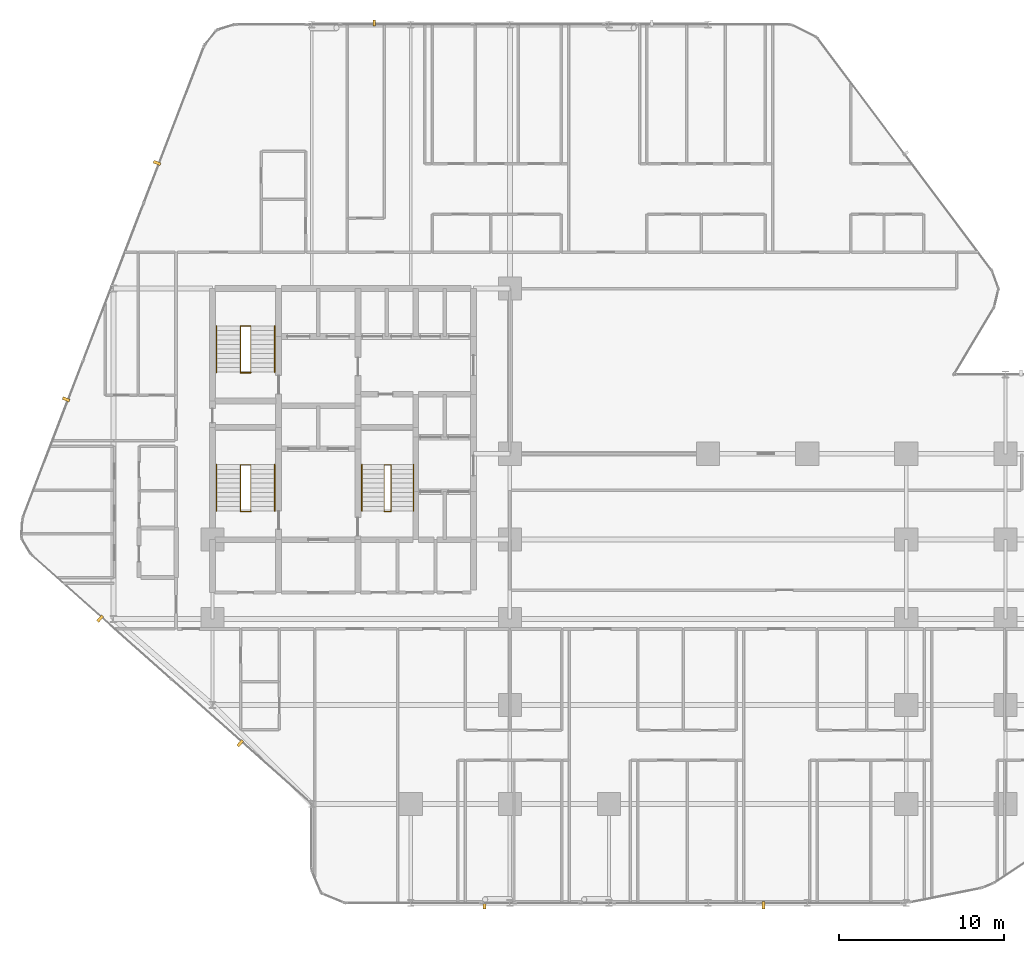
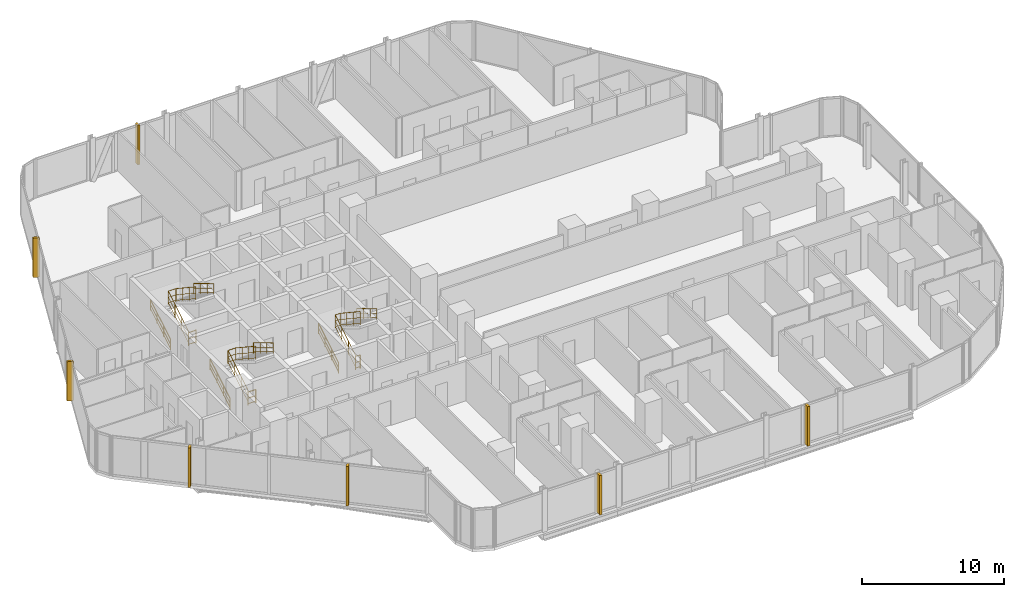
# One storey, part 33 of 34: 12 railings, 7 coverings.
"""IFC4 building model written with IfcOpenShell, lengths in metres."""

from ifc_helpers import new_model, si_unit, direction, frame, origin, origin_2d, place, context, subcontext, project, spatial, rectangle, circle, extrude, material, layer, layer_set, type_object, element, save


model = new_model("IFC4")

# Units and contexts
model_context = context("Model", 3, precision=1e-05, world=origin(), true_north=direction((0.0, 1.0)))
body_context = subcontext(model_context, "Body", "Model", "MODEL_VIEW")
ifc_project = project(units=[si_unit("LENGTHUNIT", "METRE"), si_unit("AREAUNIT", "SQUARE_METRE"), si_unit("VOLUMEUNIT", "CUBIC_METRE"), si_unit("PLANEANGLEUNIT", "RADIAN"), si_unit("MASSUNIT", "GRAM", prefix="KILO")], contexts=[model_context])

# Site, building, storey
site_placement = place(None, origin())
site = spatial("IfcSite", under=ifc_project, at=site_placement, CompositionType="ELEMENT")
building_placement = place(site_placement, origin())
building = spatial("IfcBuilding", under=site, at=building_placement, Name="Keshet Zoharim Tower", CompositionType="ELEMENT")
storey_placement = place(building_placement, frame((0.0, 0.0, 38.800048828125)))
storey = spatial("IfcBuildingStorey", under=building, at=storey_placement, Name="L08", CompositionType="ELEMENT", Elevation=38.800048828125)

# Coverings
ifc_material_1 = material(Name="Concrete C50/60 precast", Category="concrete")
covering_type_1 = type_object("IfcCoveringType", Name="FIN-SOL-360", PredefinedType="CLADDING", material=ifc_material_1)
covering_placement = place(storey_placement, frame((24.780029296875, 53.97998046875, 0.0), z_axis=(0.0, 0.0, 1.0), x_axis=(1.0, 0.0, 0.0)))
element("IfcCovering", 1, at=covering_placement, inside=storey, type_object=covering_type_1, Name="L08 Vertical Precast Solar Fin 05", PredefinedType="CLADDING", context=body_context, shape_type="SweptSolid", body=[
    extrude(rectangle(XDim=0.159912109375, YDim=0.360107421875, at=origin_2d()), origin(), (0.0, 0.0, 1.0), 3.385009765625),
])
covering_type_2 = type_object("IfcCoveringType", Name="FIN-SOL-450", PredefinedType="CLADDING", material=ifc_material_1)
for number, where, z_axis, x_axis, name in (
    (2, (16.676025390625, 10.376953125, 0.0), (0.0, 0.0, 1.0), (-0.747409318679, 0.664363838836, 0.0), "L08 Vertical Precast Solar Fin 01"),
    (3, (8.193115234375, 17.9169921875, 0.0), (0.0, 0.0, 1.0), (-0.747409318679, 0.664363838836, 0.0), "L08 Vertical Precast Solar Fin 02"),
    (4, (6.133056640625, 31.194091796875, 0.0), (0.0, 0.0, 1.0), (0.358990003907, 0.933341404361, 0.0), "L08 Vertical Precast Solar Fin 03"),
    (5, (11.637939453125, 45.507080078125, 0.0), (0.0, 0.0, 1.0), (0.358990003907, 0.933341404361, 0.0), "L08 Vertical Precast Solar Fin 04"),
    (6, (48.35205078125, 0.574951171875, 0.0), (0.0, 0.0, 1.0), (-1.0, 0.0, 0.0), "L08 Vertical Precast Solar Fin 10"),
    (7, (31.450927734375, 0.574951171875, 0.0), (0.0, 0.0, 1.0), (-1.0, 0.0, 0.0), "L08 Vertical Precast Solar Fin 11"),
):
    element("IfcCovering", number, at=place(storey_placement, frame(where, z_axis=z_axis, x_axis=x_axis)), inside=storey, type_object=covering_type_2, Name=name, PredefinedType="CLADDING", context=body_context, shape_type="SweptSolid", body=[
        extrude(rectangle(XDim=0.179931640625, YDim=0.449951171875, at=origin_2d()), origin(), (0.0, 0.0, 1.0), 3.385009765625),
    ])

# Railings
ifc_material_2 = material(Name="Steel S355", Category="steel")
ifc_layer_1 = layer(ifc_material_2, 0.050048828125)
ifc_layer_set_1 = layer_set([ifc_layer_1], Name="Steel S355")
railing_type_1 = type_object("IfcRailingType", Name="RL-HND-092", PredefinedType="HANDRAIL", material=ifc_layer_set_1)
railing_1_placement = place(storey_placement, frame((15.239990234375, 24.43994140625, 0.168212890625)))
element("IfcRailing", 8, at=railing_1_placement, inside=storey, type_object=railing_type_1, Name="L08 ST-01 Flight 1 Wall Handrail", PredefinedType="HANDRAIL", context=body_context, shape_type="SweptSolid", body=[
    extrude(circle(Radius=0.02392578125, at=origin_2d()), frame((0.0, 0.0, 0.89599609375), z_axis=(0.0, 0.857275202839, 0.514858452973), x_axis=(-1.0, 0.0, 0.0)), (0.0, 0.0, 1.0), 3.26611328125),
    extrude(circle(Radius=0.01611328125, at=origin_2d()), frame((0.0, 0.0, 0.478271484375), z_axis=(0.0, 0.857275202839, 0.514858452973), x_axis=(-1.0, 0.0, 0.0)), (0.0, 0.0, 1.0), 3.26611328125),
    extrude(circle(Radius=0.01611328125, at=origin_2d()), frame((0.0, 0.0, 0.1201171875), z_axis=(0.0, 0.857275202839, 0.514858452973), x_axis=(-1.0, 0.0, 0.0)), (0.0, 0.0, 1.0), 3.26611328125),
    extrude(circle(Radius=0.02099609375, at=origin_2d()), origin(), (0.0, 0.0, 1.0), 0.871826171875),
    extrude(circle(Radius=0.02099609375, at=origin_2d()), frame((0.0, 0.933349609375, 0.560546875)), (0.0, 0.0, 1.0), 0.871826171875),
    extrude(circle(Radius=0.02099609375, at=origin_2d()), frame((0.0, 1.86669921875, 1.12109375)), (0.0, 0.0, 1.0), 0.871826171875),
    extrude(circle(Radius=0.02099609375, at=origin_2d()), frame((0.0, 2.800048828125, 1.681640625)), (0.0, 0.0, 1.0), 0.871826171875),
])
railing_2_placement = place(storey_placement, frame((18.760009765625, 27.239990234375, 2.01806640625)))
element("IfcRailing", 9, at=railing_2_placement, inside=storey, type_object=railing_type_1, Name="L08 ST-01 Flight 2 Wall Handrail", PredefinedType="HANDRAIL", context=body_context, shape_type="SweptSolid", body=[
    extrude(circle(Radius=0.02392578125, at=origin_2d()), frame((0.0, 0.0, 0.89599609375), z_axis=(0.0, -0.857242210791, 0.514913383045), x_axis=(1.0, 0.0, 0.0)), (0.0, 0.0, 1.0), 3.266357421875),
    extrude(circle(Radius=0.01611328125, at=origin_2d()), frame((0.0, 0.0, 0.478271484375), z_axis=(0.0, -0.857242210791, 0.514913383045), x_axis=(1.0, 0.0, 0.0)), (0.0, 0.0, 1.0), 3.266357421875),
    extrude(circle(Radius=0.01611328125, at=origin_2d()), frame((0.0, 0.0, 0.1201171875), z_axis=(0.0, -0.857242210791, 0.514913383045), x_axis=(1.0, 0.0, 0.0)), (0.0, 0.0, 1.0), 3.266357421875),
    extrude(circle(Radius=0.02099609375, at=origin_2d()), origin(), (0.0, 0.0, 1.0), 0.871826171875),
    extrude(circle(Radius=0.02099609375, at=origin_2d()), frame((0.0, -0.933349609375, 0.560546875)), (0.0, 0.0, 1.0), 0.871826171875),
    extrude(circle(Radius=0.02099609375, at=origin_2d()), frame((0.0, -1.86669921875, 1.121337890625)), (0.0, 0.0, 1.0), 0.871826171875),
    extrude(circle(Radius=0.02099609375, at=origin_2d()), frame((0.0, -2.800048828125, 1.681884765625)), (0.0, 0.0, 1.0), 0.871826171875),
])
railing_3_placement = place(storey_placement, frame((15.239990234375, 32.840087890625, 0.168212890625)))
element("IfcRailing", 10, at=railing_3_placement, inside=storey, type_object=railing_type_1, Name="L08 ST-02 Flight 1 Wall Handrail", PredefinedType="HANDRAIL", context=body_context, shape_type="SweptSolid", body=[
    extrude(circle(Radius=0.02392578125, at=origin_2d()), frame((0.0, 0.0, 0.89599609375), z_axis=(0.0, 0.857255387014, 0.514891446264), x_axis=(-1.0, 0.0, 0.0)), (0.0, 0.0, 1.0), 3.26611328125),
    extrude(circle(Radius=0.01611328125, at=origin_2d()), frame((0.0, 0.0, 0.478271484375), z_axis=(0.0, 0.857255387014, 0.514891446264), x_axis=(-1.0, 0.0, 0.0)), (0.0, 0.0, 1.0), 3.26611328125),
    extrude(circle(Radius=0.01611328125, at=origin_2d()), frame((0.0, 0.0, 0.1201171875), z_axis=(0.0, 0.857255387014, 0.514891446264), x_axis=(-1.0, 0.0, 0.0)), (0.0, 0.0, 1.0), 3.26611328125),
    extrude(circle(Radius=0.02099609375, at=origin_2d()), origin(), (0.0, 0.0, 1.0), 0.871826171875),
    extrude(circle(Radius=0.02099609375, at=origin_2d()), frame((0.0, 0.933349609375, 0.560546875)), (0.0, 0.0, 1.0), 0.871826171875),
    extrude(circle(Radius=0.02099609375, at=origin_2d()), frame((0.0, 1.866455078125, 1.12109375)), (0.0, 0.0, 1.0), 0.871826171875),
    extrude(circle(Radius=0.02099609375, at=origin_2d()), frame((0.0, 2.7998046875, 1.681640625)), (0.0, 0.0, 1.0), 0.871826171875),
])
railing_4_placement = place(storey_placement, frame((18.760009765625, 35.639892578125, 2.01806640625)))
element("IfcRailing", 11, at=railing_4_placement, inside=storey, type_object=railing_type_1, Name="L08 ST-02 Flight 2 Wall Handrail", PredefinedType="HANDRAIL", context=body_context, shape_type="SweptSolid", body=[
    extrude(circle(Radius=0.02392578125, at=origin_2d()), frame((0.0, 0.0, 0.89599609375), z_axis=(0.0, -0.857222391501, 0.514946377315), x_axis=(1.0, 0.0, 0.0)), (0.0, 0.0, 1.0), 3.26611328125),
    extrude(circle(Radius=0.01611328125, at=origin_2d()), frame((0.0, 0.0, 0.478271484375), z_axis=(0.0, -0.857222391501, 0.514946377315), x_axis=(1.0, 0.0, 0.0)), (0.0, 0.0, 1.0), 3.26611328125),
    extrude(circle(Radius=0.01611328125, at=origin_2d()), frame((0.0, 0.0, 0.1201171875), z_axis=(0.0, -0.857222391501, 0.514946377315), x_axis=(1.0, 0.0, 0.0)), (0.0, 0.0, 1.0), 3.26611328125),
    extrude(circle(Radius=0.02099609375, at=origin_2d()), origin(), (0.0, 0.0, 1.0), 0.871826171875),
    extrude(circle(Radius=0.02099609375, at=origin_2d()), frame((0.0, -0.933349609375, 0.560546875)), (0.0, 0.0, 1.0), 0.871826171875),
    extrude(circle(Radius=0.02099609375, at=origin_2d()), frame((0.0, -1.866455078125, 1.121337890625)), (0.0, 0.0, 1.0), 0.871826171875),
    extrude(circle(Radius=0.02099609375, at=origin_2d()), frame((0.0, -2.7998046875, 1.681884765625)), (0.0, 0.0, 1.0), 0.871826171875),
])
railing_5_placement = place(storey_placement, frame((24.0400390625, 24.43994140625, 0.168212890625)))
element("IfcRailing", 12, at=railing_5_placement, inside=storey, type_object=railing_type_1, Name="L08 ST-03 Flight 1 Wall Handrail", PredefinedType="HANDRAIL", context=body_context, shape_type="SweptSolid", body=[
    extrude(circle(Radius=0.02392578125, at=origin_2d()), frame((0.0, 0.0, 0.89599609375), z_axis=(0.0, 0.857275202839, 0.514858452973), x_axis=(-1.0, 0.0, 0.0)), (0.0, 0.0, 1.0), 3.26611328125),
    extrude(circle(Radius=0.01611328125, at=origin_2d()), frame((0.0, 0.0, 0.478271484375), z_axis=(0.0, 0.857275202839, 0.514858452973), x_axis=(-1.0, 0.0, 0.0)), (0.0, 0.0, 1.0), 3.26611328125),
    extrude(circle(Radius=0.01611328125, at=origin_2d()), frame((0.0, 0.0, 0.1201171875), z_axis=(0.0, 0.857275202839, 0.514858452973), x_axis=(-1.0, 0.0, 0.0)), (0.0, 0.0, 1.0), 3.26611328125),
    extrude(circle(Radius=0.02099609375, at=origin_2d()), origin(), (0.0, 0.0, 1.0), 0.871826171875),
    extrude(circle(Radius=0.02099609375, at=origin_2d()), frame((0.0, 0.933349609375, 0.560546875)), (0.0, 0.0, 1.0), 0.871826171875),
    extrude(circle(Radius=0.02099609375, at=origin_2d()), frame((0.0, 1.86669921875, 1.12109375)), (0.0, 0.0, 1.0), 0.871826171875),
    extrude(circle(Radius=0.02099609375, at=origin_2d()), frame((0.0, 2.800048828125, 1.681640625)), (0.0, 0.0, 1.0), 0.871826171875),
])
railing_6_placement = place(storey_placement, frame((27.159912109375, 27.239990234375, 2.01806640625)))
element("IfcRailing", 13, at=railing_6_placement, inside=storey, type_object=railing_type_1, Name="L08 ST-03 Flight 2 Wall Handrail", PredefinedType="HANDRAIL", context=body_context, shape_type="SweptSolid", body=[
    extrude(circle(Radius=0.02392578125, at=origin_2d()), frame((0.0, 0.0, 0.89599609375), z_axis=(0.0, -0.857242210791, 0.514913383045), x_axis=(1.0, 0.0, 0.0)), (0.0, 0.0, 1.0), 3.266357421875),
    extrude(circle(Radius=0.01611328125, at=origin_2d()), frame((0.0, 0.0, 0.478271484375), z_axis=(0.0, -0.857242210791, 0.514913383045), x_axis=(1.0, 0.0, 0.0)), (0.0, 0.0, 1.0), 3.266357421875),
    extrude(circle(Radius=0.01611328125, at=origin_2d()), frame((0.0, 0.0, 0.1201171875), z_axis=(0.0, -0.857242210791, 0.514913383045), x_axis=(1.0, 0.0, 0.0)), (0.0, 0.0, 1.0), 3.266357421875),
    extrude(circle(Radius=0.02099609375, at=origin_2d()), origin(), (0.0, 0.0, 1.0), 0.871826171875),
    extrude(circle(Radius=0.02099609375, at=origin_2d()), frame((0.0, -0.933349609375, 0.560546875)), (0.0, 0.0, 1.0), 0.871826171875),
    extrude(circle(Radius=0.02099609375, at=origin_2d()), frame((0.0, -1.86669921875, 1.121337890625)), (0.0, 0.0, 1.0), 0.871826171875),
    extrude(circle(Radius=0.02099609375, at=origin_2d()), frame((0.0, -2.800048828125, 1.681884765625)), (0.0, 0.0, 1.0), 0.871826171875),
])
ifc_layer_2 = layer(ifc_material_2, 0.06005859375)
ifc_layer_set_2 = layer_set([ifc_layer_2], Name="Steel S355")
railing_type_2 = type_object("IfcRailingType", Name="RL-STG-115", PredefinedType="GUARDRAIL", material=ifc_layer_set_2)
railing_7_placement = place(storey_placement, frame((16.68994140625, 24.43994140625, 0.168212890625)))
element("IfcRailing", 14, at=railing_7_placement, inside=storey, type_object=railing_type_2, Name="L08 ST-01 Inner Well Guardrail", PredefinedType="GUARDRAIL", context=body_context, shape_type="SweptSolid", body=[
    extrude(circle(Radius=0.02392578125, at=origin_2d()), frame((0.0, 0.0, 1.1259765625), z_axis=(0.0, 0.857275202839, 0.514858452973), x_axis=(-1.0, 0.0, 0.0)), (0.0, 0.0, 1.0), 3.26611328125),
    extrude(circle(Radius=0.01611328125, at=origin_2d()), frame((0.0, 0.0, 0.597900390625), z_axis=(0.0, 0.857275202839, 0.514858452973), x_axis=(-1.0, 0.0, 0.0)), (0.0, 0.0, 1.0), 3.26611328125),
    extrude(circle(Radius=0.01611328125, at=origin_2d()), frame((0.0, 0.0, 0.1201171875), z_axis=(0.0, 0.857275202839, 0.514858452973), x_axis=(-1.0, 0.0, 0.0)), (0.0, 0.0, 1.0), 3.26611328125),
    extrude(circle(Radius=0.02392578125, at=origin_2d()), frame((0.0, 2.800048828125, 2.8076171875), z_axis=(1.0, 0.0, 0.0), x_axis=(0.0, 1.0, 0.0)), (0.0, 0.0, 1.0), 0.6201171875),
    extrude(circle(Radius=0.01611328125, at=origin_2d()), frame((0.0, 2.800048828125, 2.279541015625), z_axis=(1.0, 0.0, 0.0), x_axis=(0.0, 1.0, 0.0)), (0.0, 0.0, 1.0), 0.6201171875),
    extrude(circle(Radius=0.01611328125, at=origin_2d()), frame((0.0, 2.800048828125, 1.8017578125), z_axis=(1.0, 0.0, 0.0), x_axis=(0.0, 1.0, 0.0)), (0.0, 0.0, 1.0), 0.6201171875),
    extrude(circle(Radius=0.02392578125, at=origin_2d()), frame((0.6201171875, 2.800048828125, 2.8076171875), z_axis=(0.0, -0.834326358476, 0.551270829586), x_axis=(1.0, 0.0, 0.0)), (0.0, 0.0, 1.0), 3.35595703125),
    extrude(circle(Radius=0.01611328125, at=origin_2d()), frame((0.6201171875, 2.800048828125, 2.279541015625), z_axis=(0.0, -0.834326358476, 0.551270829586), x_axis=(1.0, 0.0, 0.0)), (0.0, 0.0, 1.0), 3.35595703125),
    extrude(circle(Radius=0.01611328125, at=origin_2d()), frame((0.6201171875, 2.800048828125, 1.8017578125), z_axis=(0.0, -0.834326358476, 0.551270829586), x_axis=(1.0, 0.0, 0.0)), (0.0, 0.0, 1.0), 3.35595703125),
    extrude(circle(Radius=0.02099609375, at=origin_2d()), origin(), (0.0, 0.0, 1.0), 1.101806640625),
    extrude(circle(Radius=0.02099609375, at=origin_2d()), frame((0.0, 0.933349609375, 0.560546875)), (0.0, 0.0, 1.0), 1.101806640625),
    extrude(circle(Radius=0.02099609375, at=origin_2d()), frame((0.0, 1.86669921875, 1.12109375)), (0.0, 0.0, 1.0), 1.101806640625),
    extrude(circle(Radius=0.02099609375, at=origin_2d()), frame((0.0, 2.800048828125, 1.681640625)), (0.0, 0.0, 1.0), 1.101806640625),
    extrude(circle(Radius=0.02099609375, at=origin_2d()), frame((0.6201171875, 2.800048828125, 1.681640625)), (0.0, 0.0, 1.0), 1.101806640625),
    extrude(circle(Radius=0.02099609375, at=origin_2d()), frame((0.6201171875, 1.86669921875, 2.29833984375)), (0.0, 0.0, 1.0), 1.101806640625),
    extrude(circle(Radius=0.02099609375, at=origin_2d()), frame((0.6201171875, 0.933349609375, 2.9150390625)), (0.0, 0.0, 1.0), 1.101806640625),
    extrude(circle(Radius=0.02099609375, at=origin_2d()), frame((0.6201171875, 0.0, 3.53173828125)), (0.0, 0.0, 1.0), 1.101806640625),
])
railing_8_placement = place(storey_placement, frame((16.68994140625, 24.409912109375, 0.0)))
element("IfcRailing", 15, at=railing_8_placement, inside=storey, type_object=railing_type_2, Name="L08 ST-01 Stairwell Floor Guardrail", PredefinedType="GUARDRAIL", context=body_context, shape_type="SweptSolid", body=[
    extrude(circle(Radius=0.02392578125, at=origin_2d()), frame((0.0, 0.0, 1.1259765625), z_axis=(1.0, 0.0, 0.0), x_axis=(0.0, 1.0, 0.0)), (0.0, 0.0, 1.0), 0.6201171875),
    extrude(circle(Radius=0.01611328125, at=origin_2d()), frame((0.0, 0.0, 0.597900390625), z_axis=(1.0, 0.0, 0.0), x_axis=(0.0, 1.0, 0.0)), (0.0, 0.0, 1.0), 0.6201171875),
    extrude(circle(Radius=0.01611328125, at=origin_2d()), frame((0.0, 0.0, 0.1201171875), z_axis=(1.0, 0.0, 0.0), x_axis=(0.0, 1.0, 0.0)), (0.0, 0.0, 1.0), 0.6201171875),
    extrude(circle(Radius=0.02099609375, at=origin_2d()), origin(), (0.0, 0.0, 1.0), 1.101806640625),
    extrude(circle(Radius=0.02099609375, at=origin_2d()), frame((0.6201171875, 0.0, 0.0)), (0.0, 0.0, 1.0), 1.101806640625),
])
railing_9_placement = place(storey_placement, frame((16.68994140625, 32.840087890625, 0.168212890625)))
element("IfcRailing", 16, at=railing_9_placement, inside=storey, type_object=railing_type_2, Name="L08 ST-02 Inner Well Guardrail", PredefinedType="GUARDRAIL", context=body_context, shape_type="SweptSolid", body=[
    extrude(circle(Radius=0.02392578125, at=origin_2d()), frame((0.0, 0.0, 1.1259765625), z_axis=(0.0, 0.857255387014, 0.514891446264), x_axis=(-1.0, 0.0, 0.0)), (0.0, 0.0, 1.0), 3.26611328125),
    extrude(circle(Radius=0.01611328125, at=origin_2d()), frame((0.0, 0.0, 0.597900390625), z_axis=(0.0, 0.857255387014, 0.514891446264), x_axis=(-1.0, 0.0, 0.0)), (0.0, 0.0, 1.0), 3.26611328125),
    extrude(circle(Radius=0.01611328125, at=origin_2d()), frame((0.0, 0.0, 0.1201171875), z_axis=(0.0, 0.857255387014, 0.514891446264), x_axis=(-1.0, 0.0, 0.0)), (0.0, 0.0, 1.0), 3.26611328125),
    extrude(circle(Radius=0.02392578125, at=origin_2d()), frame((0.0, 2.7998046875, 2.8076171875), z_axis=(1.0, 0.0, 0.0), x_axis=(0.0, 1.0, 0.0)), (0.0, 0.0, 1.0), 0.6201171875),
    extrude(circle(Radius=0.01611328125, at=origin_2d()), frame((0.0, 2.7998046875, 2.279541015625), z_axis=(1.0, 0.0, 0.0), x_axis=(0.0, 1.0, 0.0)), (0.0, 0.0, 1.0), 0.6201171875),
    extrude(circle(Radius=0.01611328125, at=origin_2d()), frame((0.0, 2.7998046875, 1.8017578125), z_axis=(1.0, 0.0, 0.0), x_axis=(0.0, 1.0, 0.0)), (0.0, 0.0, 1.0), 0.6201171875),
    extrude(circle(Radius=0.02392578125, at=origin_2d()), frame((0.6201171875, 2.7998046875, 2.8076171875), z_axis=(0.0, -0.834304248922, 0.551304290053), x_axis=(1.0, 0.0, 0.0)), (0.0, 0.0, 1.0), 3.35595703125),
    extrude(circle(Radius=0.01611328125, at=origin_2d()), frame((0.6201171875, 2.7998046875, 2.279541015625), z_axis=(0.0, -0.834304248922, 0.551304290053), x_axis=(1.0, 0.0, 0.0)), (0.0, 0.0, 1.0), 3.35595703125),
    extrude(circle(Radius=0.01611328125, at=origin_2d()), frame((0.6201171875, 2.7998046875, 1.8017578125), z_axis=(0.0, -0.834304248922, 0.551304290053), x_axis=(1.0, 0.0, 0.0)), (0.0, 0.0, 1.0), 3.35595703125),
    extrude(circle(Radius=0.02099609375, at=origin_2d()), origin(), (0.0, 0.0, 1.0), 1.101806640625),
    extrude(circle(Radius=0.02099609375, at=origin_2d()), frame((0.0, 0.933349609375, 0.560546875)), (0.0, 0.0, 1.0), 1.101806640625),
    extrude(circle(Radius=0.02099609375, at=origin_2d()), frame((0.0, 1.866455078125, 1.12109375)), (0.0, 0.0, 1.0), 1.101806640625),
    extrude(circle(Radius=0.02099609375, at=origin_2d()), frame((0.0, 2.7998046875, 1.681640625)), (0.0, 0.0, 1.0), 1.101806640625),
    extrude(circle(Radius=0.02099609375, at=origin_2d()), frame((0.6201171875, 2.7998046875, 1.681640625)), (0.0, 0.0, 1.0), 1.101806640625),
    extrude(circle(Radius=0.02099609375, at=origin_2d()), frame((0.6201171875, 1.866455078125, 2.29833984375)), (0.0, 0.0, 1.0), 1.101806640625),
    extrude(circle(Radius=0.02099609375, at=origin_2d()), frame((0.6201171875, 0.933349609375, 2.9150390625)), (0.0, 0.0, 1.0), 1.101806640625),
    extrude(circle(Radius=0.02099609375, at=origin_2d()), frame((0.6201171875, 0.0, 3.53173828125)), (0.0, 0.0, 1.0), 1.101806640625),
])
railing_10_placement = place(storey_placement, frame((16.68994140625, 32.81005859375, 0.0)))
element("IfcRailing", 17, at=railing_10_placement, inside=storey, type_object=railing_type_2, Name="L08 ST-02 Stairwell Floor Guardrail", PredefinedType="GUARDRAIL", context=body_context, shape_type="SweptSolid", body=[
    extrude(circle(Radius=0.02392578125, at=origin_2d()), frame((0.0, 0.0, 1.1259765625), z_axis=(1.0, 0.0, 0.0), x_axis=(0.0, 1.0, 0.0)), (0.0, 0.0, 1.0), 0.6201171875),
    extrude(circle(Radius=0.01611328125, at=origin_2d()), frame((0.0, 0.0, 0.597900390625), z_axis=(1.0, 0.0, 0.0), x_axis=(0.0, 1.0, 0.0)), (0.0, 0.0, 1.0), 0.6201171875),
    extrude(circle(Radius=0.01611328125, at=origin_2d()), frame((0.0, 0.0, 0.1201171875), z_axis=(1.0, 0.0, 0.0), x_axis=(0.0, 1.0, 0.0)), (0.0, 0.0, 1.0), 0.6201171875),
    extrude(circle(Radius=0.02099609375, at=origin_2d()), origin(), (0.0, 0.0, 1.0), 1.101806640625),
    extrude(circle(Radius=0.02099609375, at=origin_2d()), frame((0.6201171875, 0.0, 0.0)), (0.0, 0.0, 1.0), 1.101806640625),
])
railing_11_placement = place(storey_placement, frame((25.39990234375, 24.43994140625, 0.168212890625)))
element("IfcRailing", 18, at=railing_11_placement, inside=storey, type_object=railing_type_2, Name="L08 ST-03 Inner Well Guardrail", PredefinedType="GUARDRAIL", context=body_context, shape_type="SweptSolid", body=[
    extrude(circle(Radius=0.02392578125, at=origin_2d()), frame((0.0, 0.0, 1.1259765625), z_axis=(0.0, 0.857275202839, 0.514858452973), x_axis=(-1.0, 0.0, 0.0)), (0.0, 0.0, 1.0), 3.26611328125),
    extrude(circle(Radius=0.01611328125, at=origin_2d()), frame((0.0, 0.0, 0.597900390625), z_axis=(0.0, 0.857275202839, 0.514858452973), x_axis=(-1.0, 0.0, 0.0)), (0.0, 0.0, 1.0), 3.26611328125),
    extrude(circle(Radius=0.01611328125, at=origin_2d()), frame((0.0, 0.0, 0.1201171875), z_axis=(0.0, 0.857275202839, 0.514858452973), x_axis=(-1.0, 0.0, 0.0)), (0.0, 0.0, 1.0), 3.26611328125),
    extrude(circle(Radius=0.02392578125, at=origin_2d()), frame((0.0, 2.800048828125, 2.8076171875), z_axis=(1.0, 0.0, 0.0), x_axis=(0.0, 1.0, 0.0)), (0.0, 0.0, 1.0), 0.400146484375),
    extrude(circle(Radius=0.01611328125, at=origin_2d()), frame((0.0, 2.800048828125, 2.279541015625), z_axis=(1.0, 0.0, 0.0), x_axis=(0.0, 1.0, 0.0)), (0.0, 0.0, 1.0), 0.400146484375),
    extrude(circle(Radius=0.01611328125, at=origin_2d()), frame((0.0, 2.800048828125, 1.8017578125), z_axis=(1.0, 0.0, 0.0), x_axis=(0.0, 1.0, 0.0)), (0.0, 0.0, 1.0), 0.400146484375),
    extrude(circle(Radius=0.02392578125, at=origin_2d()), frame((0.400146484375, 2.800048828125, 2.8076171875), z_axis=(0.0, -0.834326358476, 0.551270829586), x_axis=(1.0, 0.0, 0.0)), (0.0, 0.0, 1.0), 3.35595703125),
    extrude(circle(Radius=0.01611328125, at=origin_2d()), frame((0.400146484375, 2.800048828125, 2.279541015625), z_axis=(0.0, -0.834326358476, 0.551270829586), x_axis=(1.0, 0.0, 0.0)), (0.0, 0.0, 1.0), 3.35595703125),
    extrude(circle(Radius=0.01611328125, at=origin_2d()), frame((0.400146484375, 2.800048828125, 1.8017578125), z_axis=(0.0, -0.834326358476, 0.551270829586), x_axis=(1.0, 0.0, 0.0)), (0.0, 0.0, 1.0), 3.35595703125),
    extrude(circle(Radius=0.02099609375, at=origin_2d()), origin(), (0.0, 0.0, 1.0), 1.101806640625),
    extrude(circle(Radius=0.02099609375, at=origin_2d()), frame((0.0, 0.933349609375, 0.560546875)), (0.0, 0.0, 1.0), 1.101806640625),
    extrude(circle(Radius=0.02099609375, at=origin_2d()), frame((0.0, 1.86669921875, 1.12109375)), (0.0, 0.0, 1.0), 1.101806640625),
    extrude(circle(Radius=0.02099609375, at=origin_2d()), frame((0.0, 2.800048828125, 1.681640625)), (0.0, 0.0, 1.0), 1.101806640625),
    extrude(circle(Radius=0.02099609375, at=origin_2d()), frame((0.400146484375, 2.800048828125, 1.681640625)), (0.0, 0.0, 1.0), 1.101806640625),
    extrude(circle(Radius=0.02099609375, at=origin_2d()), frame((0.400146484375, 1.86669921875, 2.29833984375)), (0.0, 0.0, 1.0), 1.101806640625),
    extrude(circle(Radius=0.02099609375, at=origin_2d()), frame((0.400146484375, 0.933349609375, 2.9150390625)), (0.0, 0.0, 1.0), 1.101806640625),
    extrude(circle(Radius=0.02099609375, at=origin_2d()), frame((0.400146484375, 0.0, 3.53173828125)), (0.0, 0.0, 1.0), 1.101806640625),
])
railing_12_placement = place(storey_placement, frame((25.39990234375, 24.409912109375, 0.0)))
element("IfcRailing", 19, at=railing_12_placement, inside=storey, type_object=railing_type_2, Name="L08 ST-03 Stairwell Floor Guardrail", PredefinedType="GUARDRAIL", context=body_context, shape_type="SweptSolid", body=[
    extrude(circle(Radius=0.02392578125, at=origin_2d()), frame((0.0, 0.0, 1.1259765625), z_axis=(1.0, 0.0, 0.0), x_axis=(0.0, 1.0, 0.0)), (0.0, 0.0, 1.0), 0.400146484375),
    extrude(circle(Radius=0.01611328125, at=origin_2d()), frame((0.0, 0.0, 0.597900390625), z_axis=(1.0, 0.0, 0.0), x_axis=(0.0, 1.0, 0.0)), (0.0, 0.0, 1.0), 0.400146484375),
    extrude(circle(Radius=0.01611328125, at=origin_2d()), frame((0.0, 0.0, 0.1201171875), z_axis=(1.0, 0.0, 0.0), x_axis=(0.0, 1.0, 0.0)), (0.0, 0.0, 1.0), 0.400146484375),
    extrude(circle(Radius=0.02099609375, at=origin_2d()), origin(), (0.0, 0.0, 1.0), 1.101806640625),
    extrude(circle(Radius=0.02099609375, at=origin_2d()), frame((0.400146484375, 0.0, 0.0)), (0.0, 0.0, 1.0), 1.101806640625),
])

save(model, "model.ifc")
